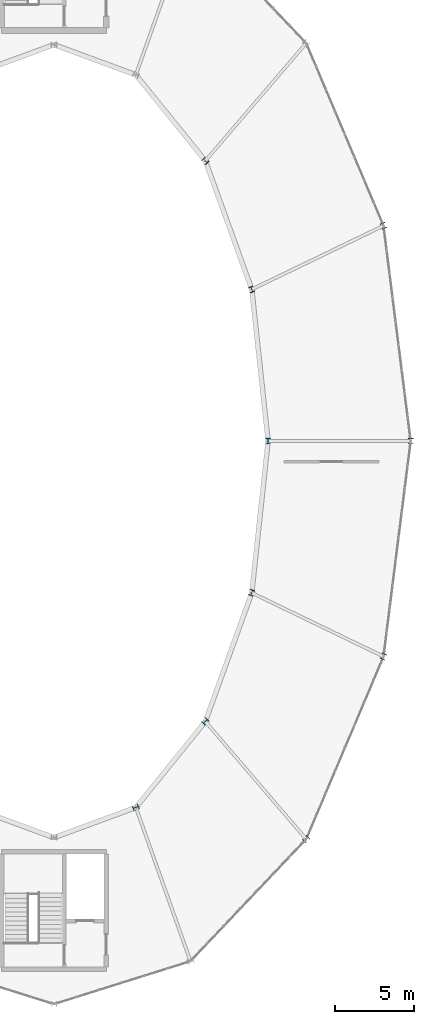
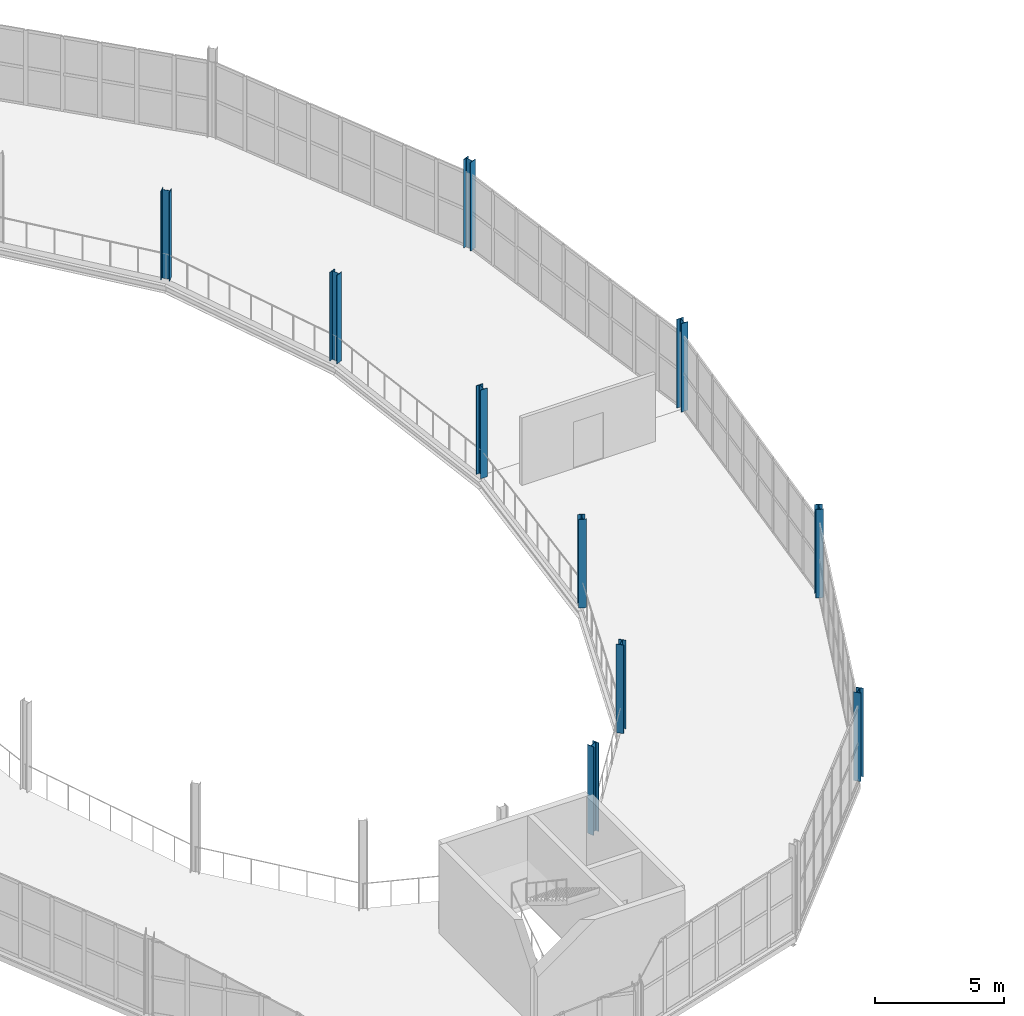
# One storey, part 27 of 161: 10 columns.
"""IFC4 building model written with IfcOpenShell, lengths in metres."""

from ifc_helpers import new_model, si_unit, direction, frame, origin, origin_2d, place, context, subcontext, project, spatial, i_section, extrude, material, material_profile, profile_set, type_object, element, save


model = new_model("IFC4")

# Units and contexts
model_context = context("Model", 3, precision=1e-05, world=origin(), true_north=direction((0.0, 1.0)))
body_context = subcontext(model_context, "Body", "Model", "MODEL_VIEW")
ifc_project = project(units=[si_unit("LENGTHUNIT", "METRE"), si_unit("AREAUNIT", "SQUARE_METRE"), si_unit("VOLUMEUNIT", "CUBIC_METRE"), si_unit("PLANEANGLEUNIT", "RADIAN"), si_unit("MASSUNIT", "GRAM", prefix="KILO")], contexts=[model_context])

# Site, building, storey
site_placement = place(None, origin())
site = spatial("IfcSite", under=ifc_project, at=site_placement, CompositionType="ELEMENT")
building_placement = place(site_placement, origin())
building = spatial("IfcBuilding", under=site, at=building_placement, Name="Kildeholm Park Wholesale Market", CompositionType="ELEMENT")
storey_placement = place(building_placement, frame((0.0, 0.0, 5.39990234375)))
storey = spatial("IfcBuildingStorey", under=building, at=storey_placement, Name="L01", CompositionType="ELEMENT", Elevation=5.39990234375)

# Columns
ifc_material = material(Name="Steel S355", Category="steel")
ifc_material_profile = material_profile(ifc_material, i_section(OverallWidth=0.300048828125, OverallDepth=0.360107421875, WebThickness=0.012451171875, FlangeThickness=0.0224609375, FilletRadius=0.027099609375, at=origin_2d()), Name="HEB 360")
ifc_profile_set = profile_set([ifc_material_profile], Name="Steel S355")
column_type = type_object("IfcColumnType", Name="Column C-S04 HEB 360", PredefinedType="COLUMN", material=ifc_profile_set)
for number, where, z_axis, x_axis, name in (
    (1, (201.5, 94.5, 0.0), (0.0, 0.0, 1.0), (1.0, 0.0, 0.0), "Column V2-IN-00 L01 COL-0218"),
    (2, (210.5, 94.5, 0.0), (0.0, 0.0, 1.0), (1.0, 0.0, 0.0), "Column V2-OT-00 L01 COL-0221"),
    (3, (200.471923828125, 104.06689453125, 0.0), (0.0, 0.0, 1.0), (0.923879532511, 0.382683432365, 0.0), "Column V2-IN-01 L01 COL-0223"),
    (4, (208.787109375, 108.0849609375, 0.0), (0.0, 0.0, 1.0), (0.923879532511, 0.382683432365, 0.0), "Column V2-OT-01 L01 COL-0226"),
    (5, (197.5458984375, 112.177978515625, 0.0), (0.0, 0.0, 1.0), (0.707106781187, 0.707106781187, 0.0), "Column V2-IN-02 L01 COL-0228"),
    (6, (193.166015625, 71.403076171875, 0.0), (0.0, 0.0, 1.0), (0.382683432365, -0.923879532511, 0.0), "Column V2-IN-13 L01 COL-0283"),
    (7, (197.5458984375, 76.822021484375, 0.0), (0.0, 0.0, 1.0), (0.707106781187, -0.707106781187, 0.0), "Column V2-IN-14 L01 COL-0288"),
    (8, (203.909912109375, 69.39794921875, 0.0), (0.0, 0.0, 1.0), (0.707106781187, -0.707106781187, 0.0), "Column V2-OT-14 L01 COL-0291"),
    (9, (200.471923828125, 84.93310546875, 0.0), (0.0, 0.0, 1.0), (0.923879532511, -0.382683432365, 0.0), "Column V2-IN-15 L01 COL-0293"),
    (10, (208.787109375, 80.9150390625, 0.0), (0.0, 0.0, 1.0), (0.923879532511, -0.382683432365, 0.0), "Column V2-OT-15 L01 COL-0296"),
):
    element("IfcColumn", number, at=place(storey_placement, frame(where, z_axis=z_axis, x_axis=x_axis)), inside=storey, type_object=column_type, Name=name, PredefinedType="COLUMN", context=body_context, shape_type="SweptSolid", body=[
        extrude(i_section(OverallWidth=0.300048828125, OverallDepth=0.360107421875, WebThickness=0.012451171875, FlangeThickness=0.0224609375, FilletRadius=0.027099609375, at=origin_2d()), origin(), (0.0, 0.0, 1.0), 4.2001953125),
    ])

save(model, "model.ifc")
